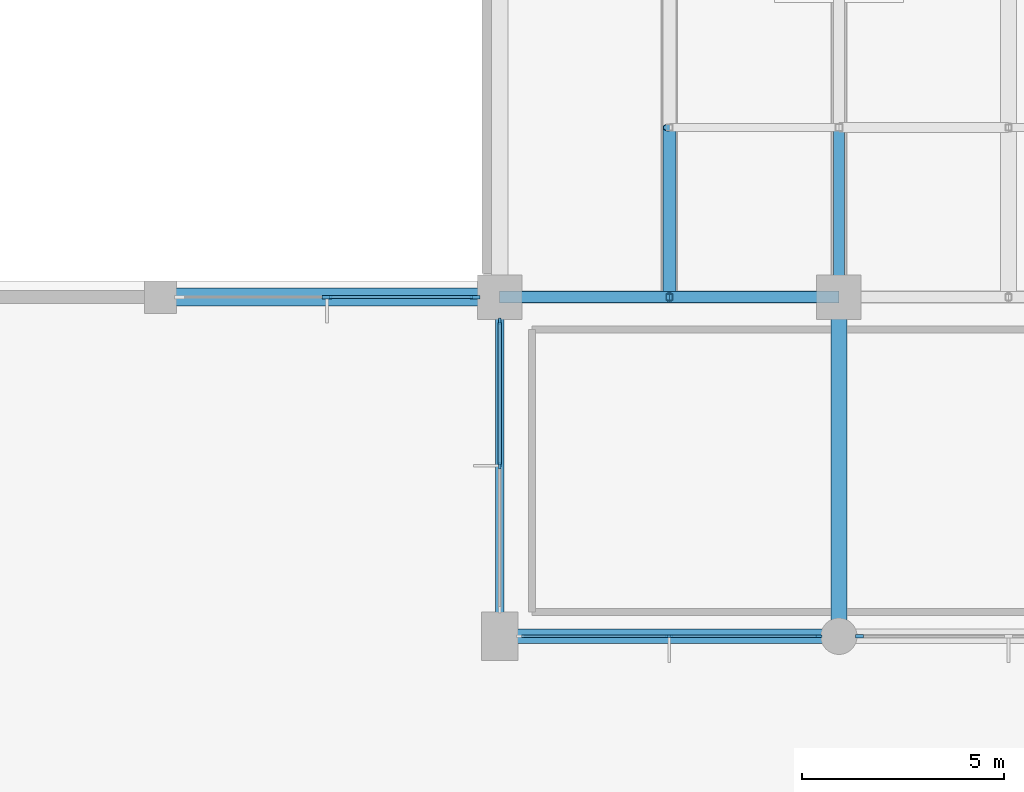
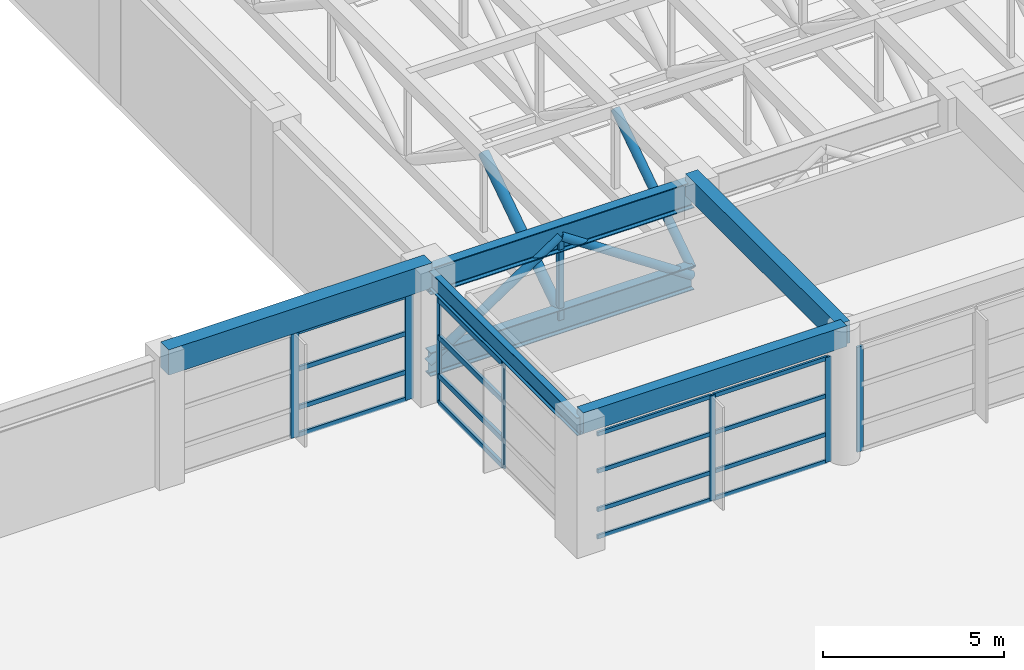
# One storey, part 9 of 47: 28 members, 6 beams, 4 elements without a shape of their own.
"""IFC4 building model written with IfcOpenShell, lengths in metres."""

from ifc_helpers import new_model, si_unit, direction, frame, origin, origin_2d, place, context, subcontext, project, spatial, rectangle, hollow_rectangle, hollow_circle, i_section, extrude, material, material_profile, profile_set, type_object, element, aggregate, save


model = new_model("IFC4")

# Units and contexts
model_context = context("Model", 3, precision=1e-05, world=origin(), true_north=direction((0.0, 1.0)))
body_context = subcontext(model_context, "Body", "Model", "MODEL_VIEW")
ifc_project = project(units=[si_unit("LENGTHUNIT", "METRE"), si_unit("AREAUNIT", "SQUARE_METRE"), si_unit("VOLUMEUNIT", "CUBIC_METRE"), si_unit("PLANEANGLEUNIT", "RADIAN"), si_unit("MASSUNIT", "GRAM", prefix="KILO")], contexts=[model_context])

# Site, building, storey
site_placement = place(None, origin())
site = spatial("IfcSite", under=ifc_project, at=site_placement, CompositionType="ELEMENT")
building_placement = place(site_placement, origin())
building = spatial("IfcBuilding", under=site, at=building_placement, Name="Xuanlan Plaza Opera House", CompositionType="ELEMENT")
storey_placement = place(building_placement, frame((0.0, 0.0, 23.39990234375)))
storey = spatial("IfcBuildingStorey", under=building, at=storey_placement, Name="L05", CompositionType="ELEMENT", Elevation=23.39990234375)

# Curtain wall, members
ifc_material_1 = material(Name="Anodised Aluminium 6063-T6 and Low-E Glass", Category="aluminium")
curtain_wall_type_1 = type_object("IfcCurtainWallType", Name="ENV-CW-CW-05", PredefinedType="USERDEFINED", material=ifc_material_1)
curtain_wall_1_placement = place(storey_placement, origin())
curtain_wall_1 = element("IfcCurtainWall", 1, at=curtain_wall_1_placement, inside=storey, type_object=curtain_wall_type_1, Name="Acoustic Glazed Wall L05-004", ObjectType="ACOUSTIC GLAZED WALL", PredefinedType="USERDEFINED")
ifc_material_2 = material(Name="Anodised Aluminium 6063-T6", Category="aluminium")
ifc_material_profile_1 = material_profile(ifc_material_2, rectangle(XDim=0.06494140625, YDim=0.159912109375, at=origin_2d()), Name="ALU-M 65x160")
ifc_profile_set_1 = profile_set([ifc_material_profile_1], Name="Anodised Aluminium 6063-T6")
member_type_1 = type_object("IfcMemberType", Name="ENV-CWM-01", PredefinedType="MULLION", material=ifc_profile_set_1)
member_1_placement = place(storey_placement, frame((67.199951171875, 41.3974609375, 0.0), z_axis=(0.0, 0.0, 1.0), x_axis=(1.0, 0.0, 0.0)))
member_1 = element("IfcMember", 2, at=member_1_placement, type_object=member_type_1, Name="CW-05 mullion 1", PredefinedType="MULLION", context=body_context, shape_type="SweptSolid", body=[
    extrude(rectangle(XDim=0.06494140625, YDim=0.159912109375, at=origin_2d()), origin(), (0.0, 0.0, 1.0), 3.5400390625),
])
member_2_placement = place(storey_placement, frame((67.199951171875, 37.824951171875, 0.0), z_axis=(0.0, 0.0, 1.0), x_axis=(1.0, 0.0, 0.0)))
member_2 = element("IfcMember", 3, at=member_2_placement, type_object=member_type_1, Name="CW-05 mullion 2", PredefinedType="MULLION", context=body_context, shape_type="SweptSolid", body=[
    extrude(rectangle(XDim=0.06494140625, YDim=0.159912109375, at=origin_2d()), origin(), (0.0, 0.0, 1.0), 3.5400390625),
])

curtain_wall_type_2 = type_object("IfcCurtainWallType", Name="ENV-CW-CW-06", PredefinedType="USERDEFINED", material=ifc_material_1)
curtain_wall_2_placement = place(storey_placement, origin())
curtain_wall_2 = element("IfcCurtainWall", 4, at=curtain_wall_2_placement, inside=storey, type_object=curtain_wall_type_2, Name="Acoustic Glazed Wall L05-005", ObjectType="ACOUSTIC GLAZED WALL", PredefinedType="USERDEFINED")
ifc_material_profile_2 = material_profile(ifc_material_2, rectangle(XDim=0.070068359375, YDim=0.179931640625, at=origin_2d()), Name="ALU-M 70x180")
ifc_profile_set_2 = profile_set([ifc_material_profile_2], Name="Anodised Aluminium 6063-T6")
member_type_2 = type_object("IfcMemberType", Name="ENV-CWM-02", PredefinedType="MULLION", material=ifc_profile_set_2)
member_3_placement = place(storey_placement, frame((71.39990234375, 33.60009765625, 0.0), z_axis=(0.0, 0.0, 1.0), x_axis=(0.0, 1.0, 0.0)))
member_3 = element("IfcMember", 5, at=member_3_placement, type_object=member_type_2, Name="CW-06 mullion 2", PredefinedType="MULLION", context=body_context, shape_type="SweptSolid", body=[
    extrude(rectangle(XDim=0.070068359375, YDim=0.179931640625, at=origin_2d()), origin(), (0.0, 0.0, 1.0), 3.5400390625),
])
member_4_placement = place(storey_placement, frame((75.094970703125, 33.60009765625, 0.0), z_axis=(0.0, 0.0, 1.0), x_axis=(0.0, 1.0, 0.0)))
member_4 = element("IfcMember", 6, at=member_4_placement, type_object=member_type_2, Name="CW-06 mullion 3", PredefinedType="MULLION", context=body_context, shape_type="SweptSolid", body=[
    extrude(rectangle(XDim=0.070068359375, YDim=0.179931640625, at=origin_2d()), origin(), (0.0, 0.0, 1.0), 3.5400390625),
])

# Curtain wall, member
curtain_wall_3_placement = place(storey_placement, origin())
curtain_wall_3 = element("IfcCurtainWall", 7, at=curtain_wall_3_placement, inside=storey, type_object=curtain_wall_type_1, Name="Acoustic Glazed Wall L05-006", ObjectType="ACOUSTIC GLAZED WALL", PredefinedType="USERDEFINED")
ifc_material_profile_3 = material_profile(ifc_material_2, rectangle(XDim=0.074951171875, YDim=0.199951171875, at=origin_2d()), Name="ALU-M 75x200")
ifc_profile_set_3 = profile_set([ifc_material_profile_3], Name="Anodised Aluminium 6063-T6")
member_type_3 = type_object("IfcMemberType", Name="ENV-CWM-03", PredefinedType="MULLION", material=ifc_profile_set_3)
member_5_placement = place(storey_placement, frame((76.107421875, 33.60009765625, 0.0), z_axis=(0.0, 0.0, 1.0), x_axis=(0.0, 1.0, 0.0)))
member_5 = element("IfcMember", 8, at=member_5_placement, type_object=member_type_3, Name="CW-05 mullion 1", PredefinedType="MULLION", context=body_context, shape_type="SweptSolid", body=[
    extrude(rectangle(XDim=0.074951171875, YDim=0.199951171875, at=origin_2d()), origin(), (0.0, 0.0, 1.0), 3.5400390625),
])
aggregate(curtain_wall_3, [member_5])

# Curtain wall, members
curtain_wall_4_placement = place(storey_placement, origin())
curtain_wall_4 = element("IfcCurtainWall", 9, at=curtain_wall_4_placement, inside=storey, type_object=curtain_wall_type_2, Name="Acoustic Glazed Wall L05-003", ObjectType="ACOUSTIC GLAZED WALL", PredefinedType="USERDEFINED")
ifc_material_profile_4 = material_profile(ifc_material_2, rectangle(XDim=0.090087890625, YDim=0.25, at=origin_2d()), Name="ALU-M 90x250")
ifc_profile_set_4 = profile_set([ifc_material_profile_4], Name="Anodised Aluminium 6063-T6")
member_type_4 = type_object("IfcMemberType", Name="ENV-CWM-05", PredefinedType="MULLION", material=ifc_profile_set_4)
member_6_placement = place(storey_placement, frame((62.925048828125, 42.0, 0.0), z_axis=(0.0, 0.0, 1.0), x_axis=(0.0, 1.0, 0.0)))
member_6 = element("IfcMember", 10, at=member_6_placement, type_object=member_type_4, Name="CW-06 mullion 2", PredefinedType="MULLION", context=body_context, shape_type="SweptSolid", body=[
    extrude(rectangle(XDim=0.090087890625, YDim=0.25, at=origin_2d()), origin(), (0.0, 0.0, 1.0), 3.5400390625),
])
member_7_placement = place(storey_placement, frame((66.5849609375, 42.0, 0.0), z_axis=(0.0, 0.0, 1.0), x_axis=(0.0, 1.0, 0.0)))
member_7 = element("IfcMember", 11, at=member_7_placement, type_object=member_type_4, Name="CW-06 mullion 3", PredefinedType="MULLION", context=body_context, shape_type="SweptSolid", body=[
    extrude(rectangle(XDim=0.090087890625, YDim=0.25, at=origin_2d()), origin(), (0.0, 0.0, 1.0), 3.5400390625),
])

# Member
ifc_material_profile_5 = material_profile(ifc_material_2, rectangle(XDim=0.070068359375, YDim=0.135009765625, at=origin_2d()), Name="ALU-T 70x135")
ifc_profile_set_5 = profile_set([ifc_material_profile_5], Name="Anodised Aluminium 6063-T6")
member_type_5 = type_object("IfcMemberType", Name="ENV-CWT-02", PredefinedType="USERDEFINED", material=ifc_profile_set_5)
member_8_placement = place(storey_placement, frame((67.739990234375, 33.60009765625, 0.03515625), z_axis=(1.0, 0.0, 0.0), x_axis=(0.0, 1.0, 0.0)))
member_8 = element("IfcMember", 12, at=member_8_placement, type_object=member_type_5, Name="CW-06 transom 1.1", ObjectType="TRANSOM", PredefinedType="USERDEFINED", context=body_context, shape_type="SweptSolid", body=[
    extrude(rectangle(XDim=0.070068359375, YDim=0.135009765625, at=origin_2d()), origin(), (0.0, 0.0, 1.0), 3.625),
])

member_9_placement = place(storey_placement, frame((67.739990234375, 33.60009765625, 0.9501953125), z_axis=(1.0, 0.0, 0.0), x_axis=(0.0, 1.0, 0.0)))
member_9 = element("IfcMember", 13, at=member_9_placement, type_object=member_type_5, Name="CW-06 transom 1.2", ObjectType="TRANSOM", PredefinedType="USERDEFINED", context=body_context, shape_type="SweptSolid", body=[
    extrude(rectangle(XDim=0.070068359375, YDim=0.135009765625, at=origin_2d()), origin(), (0.0, 0.0, 1.0), 3.625),
])

member_10_placement = place(storey_placement, frame((67.739990234375, 33.60009765625, 2.25), z_axis=(1.0, 0.0, 0.0), x_axis=(0.0, 1.0, 0.0)))
member_10 = element("IfcMember", 14, at=member_10_placement, type_object=member_type_5, Name="CW-06 transom 1.3", ObjectType="TRANSOM", PredefinedType="USERDEFINED", context=body_context, shape_type="SweptSolid", body=[
    extrude(rectangle(XDim=0.070068359375, YDim=0.135009765625, at=origin_2d()), origin(), (0.0, 0.0, 1.0), 3.625),
])

member_11_placement = place(storey_placement, frame((67.739990234375, 33.60009765625, 3.505126953125), z_axis=(1.0, 0.0, 0.0), x_axis=(0.0, 1.0, 0.0)))
member_11 = element("IfcMember", 15, at=member_11_placement, type_object=member_type_5, Name="CW-06 transom 1.4", ObjectType="TRANSOM", PredefinedType="USERDEFINED", context=body_context, shape_type="SweptSolid", body=[
    extrude(rectangle(XDim=0.070068359375, YDim=0.135009765625, at=origin_2d()), origin(), (0.0, 0.0, 1.0), 3.625),
])

member_12_placement = place(storey_placement, frame((71.43505859375, 33.60009765625, 0.03515625), z_axis=(1.0, 0.0, 0.0), x_axis=(0.0, 1.0, 0.0)))
member_12 = element("IfcMember", 16, at=member_12_placement, type_object=member_type_5, Name="CW-06 transom 2.1", ObjectType="TRANSOM", PredefinedType="USERDEFINED", context=body_context, shape_type="SweptSolid", body=[
    extrude(rectangle(XDim=0.070068359375, YDim=0.135009765625, at=origin_2d()), origin(), (0.0, 0.0, 1.0), 3.625),
])

member_13_placement = place(storey_placement, frame((71.43505859375, 33.60009765625, 0.9501953125), z_axis=(1.0, 0.0, 0.0), x_axis=(0.0, 1.0, 0.0)))
member_13 = element("IfcMember", 17, at=member_13_placement, type_object=member_type_5, Name="CW-06 transom 2.2", ObjectType="TRANSOM", PredefinedType="USERDEFINED", context=body_context, shape_type="SweptSolid", body=[
    extrude(rectangle(XDim=0.070068359375, YDim=0.135009765625, at=origin_2d()), origin(), (0.0, 0.0, 1.0), 3.625),
])

member_14_placement = place(storey_placement, frame((71.43505859375, 33.60009765625, 2.25), z_axis=(1.0, 0.0, 0.0), x_axis=(0.0, 1.0, 0.0)))
member_14 = element("IfcMember", 18, at=member_14_placement, type_object=member_type_5, Name="CW-06 transom 2.3", ObjectType="TRANSOM", PredefinedType="USERDEFINED", context=body_context, shape_type="SweptSolid", body=[
    extrude(rectangle(XDim=0.070068359375, YDim=0.135009765625, at=origin_2d()), origin(), (0.0, 0.0, 1.0), 3.625),
])

member_15_placement = place(storey_placement, frame((71.43505859375, 33.60009765625, 3.505126953125), z_axis=(1.0, 0.0, 0.0), x_axis=(0.0, 1.0, 0.0)))
member_15 = element("IfcMember", 19, at=member_15_placement, type_object=member_type_5, Name="CW-06 transom 2.4", ObjectType="TRANSOM", PredefinedType="USERDEFINED", context=body_context, shape_type="SweptSolid", body=[
    extrude(rectangle(XDim=0.070068359375, YDim=0.135009765625, at=origin_2d()), origin(), (0.0, 0.0, 1.0), 3.625),
])

aggregate(curtain_wall_2, [member_3, member_4, member_8, member_9, member_10, member_11, member_12, member_13, member_14, member_15])

ifc_material_profile_6 = material_profile(ifc_material_2, rectangle(XDim=0.074951171875, YDim=0.14990234375, at=origin_2d()), Name="ALU-T 75x150")
ifc_profile_set_6 = profile_set([ifc_material_profile_6], Name="Anodised Aluminium 6063-T6")
member_type_6 = type_object("IfcMemberType", Name="ENV-CWT-03", PredefinedType="USERDEFINED", material=ifc_profile_set_6)
member_16_placement = place(storey_placement, frame((62.969970703125, 42.0, 0.03759765625), z_axis=(1.0, 0.0, 0.0), x_axis=(0.0, 1.0, 0.0)))
member_16 = element("IfcMember", 20, at=member_16_placement, type_object=member_type_6, Name="CW-06 transom 2.1", ObjectType="TRANSOM", PredefinedType="USERDEFINED", context=body_context, shape_type="SweptSolid", body=[
    extrude(rectangle(XDim=0.074951171875, YDim=0.14990234375, at=origin_2d()), origin(), (0.0, 0.0, 1.0), 3.570068359375),
])

member_17_placement = place(storey_placement, frame((62.969970703125, 42.0, 0.9501953125), z_axis=(1.0, 0.0, 0.0), x_axis=(0.0, 1.0, 0.0)))
member_17 = element("IfcMember", 21, at=member_17_placement, type_object=member_type_6, Name="CW-06 transom 2.2", ObjectType="TRANSOM", PredefinedType="USERDEFINED", context=body_context, shape_type="SweptSolid", body=[
    extrude(rectangle(XDim=0.074951171875, YDim=0.14990234375, at=origin_2d()), origin(), (0.0, 0.0, 1.0), 3.570068359375),
])

member_18_placement = place(storey_placement, frame((62.969970703125, 42.0, 2.25), z_axis=(1.0, 0.0, 0.0), x_axis=(0.0, 1.0, 0.0)))
member_18 = element("IfcMember", 22, at=member_18_placement, type_object=member_type_6, Name="CW-06 transom 2.3", ObjectType="TRANSOM", PredefinedType="USERDEFINED", context=body_context, shape_type="SweptSolid", body=[
    extrude(rectangle(XDim=0.074951171875, YDim=0.14990234375, at=origin_2d()), origin(), (0.0, 0.0, 1.0), 3.570068359375),
])

member_19_placement = place(storey_placement, frame((62.969970703125, 42.0, 3.502685546875), z_axis=(1.0, 0.0, 0.0), x_axis=(0.0, 1.0, 0.0)))
member_19 = element("IfcMember", 23, at=member_19_placement, type_object=member_type_6, Name="CW-06 transom 2.4", ObjectType="TRANSOM", PredefinedType="USERDEFINED", context=body_context, shape_type="SweptSolid", body=[
    extrude(rectangle(XDim=0.074951171875, YDim=0.14990234375, at=origin_2d()), origin(), (0.0, 0.0, 1.0), 3.570068359375),
])

aggregate(curtain_wall_4, [member_6, member_7, member_16, member_17, member_18, member_19])

ifc_material_profile_7 = material_profile(ifc_material_2, rectangle(XDim=0.090087890625, YDim=0.179931640625, at=origin_2d()), Name="ALU-T 90x180")
ifc_profile_set_7 = profile_set([ifc_material_profile_7], Name="Anodised Aluminium 6063-T6")
member_type_7 = type_object("IfcMemberType", Name="ENV-CWT-05", PredefinedType="USERDEFINED", material=ifc_profile_set_7)
member_20_placement = place(storey_placement, frame((67.199951171875, 41.364990234375, 0.045166015625), z_axis=(0.0, -1.0, 0.0), x_axis=(1.0, 0.0, 0.0)))
member_20 = element("IfcMember", 24, at=member_20_placement, type_object=member_type_7, Name="CW-05 transom 1.1", ObjectType="TRANSOM", PredefinedType="USERDEFINED", context=body_context, shape_type="SweptSolid", body=[
    extrude(rectangle(XDim=0.090087890625, YDim=0.179931640625, at=origin_2d()), origin(), (0.0, 0.0, 1.0), 3.507568359375),
])

member_21_placement = place(storey_placement, frame((67.199951171875, 41.364990234375, 0.9501953125), z_axis=(0.0, -1.0, 0.0), x_axis=(1.0, 0.0, 0.0)))
member_21 = element("IfcMember", 25, at=member_21_placement, type_object=member_type_7, Name="CW-05 transom 1.2", ObjectType="TRANSOM", PredefinedType="USERDEFINED", context=body_context, shape_type="SweptSolid", body=[
    extrude(rectangle(XDim=0.090087890625, YDim=0.179931640625, at=origin_2d()), origin(), (0.0, 0.0, 1.0), 3.507568359375),
])

member_22_placement = place(storey_placement, frame((67.199951171875, 41.364990234375, 2.25), z_axis=(0.0, -1.0, 0.0), x_axis=(1.0, 0.0, 0.0)))
member_22 = element("IfcMember", 26, at=member_22_placement, type_object=member_type_7, Name="CW-05 transom 1.3", ObjectType="TRANSOM", PredefinedType="USERDEFINED", context=body_context, shape_type="SweptSolid", body=[
    extrude(rectangle(XDim=0.090087890625, YDim=0.179931640625, at=origin_2d()), origin(), (0.0, 0.0, 1.0), 3.507568359375),
])

member_23_placement = place(storey_placement, frame((67.199951171875, 41.364990234375, 3.4951171875), z_axis=(0.0, -1.0, 0.0), x_axis=(1.0, 0.0, 0.0)))
member_23 = element("IfcMember", 27, at=member_23_placement, type_object=member_type_7, Name="CW-05 transom 1.4", ObjectType="TRANSOM", PredefinedType="USERDEFINED", context=body_context, shape_type="SweptSolid", body=[
    extrude(rectangle(XDim=0.090087890625, YDim=0.179931640625, at=origin_2d()), origin(), (0.0, 0.0, 1.0), 3.507568359375),
])

aggregate(curtain_wall_1, [member_1, member_2, member_20, member_21, member_22, member_23])

# Beams
ifc_material_3 = material(Name="Concrete C40", Category="concrete")
ifc_material_profile_8 = material_profile(ifc_material_3, rectangle(XDim=0.449951171875, YDim=0.85009765625, at=origin_2d()), Name="RC-BM 450x850")
ifc_profile_set_8 = profile_set([ifc_material_profile_8], Name="Concrete C40")
beam_type_1 = type_object("IfcBeamType", Name="STR-BM-B-04", PredefinedType="BEAM", material=ifc_profile_set_8)
beam_1_placement = place(storey_placement, frame((58.800048828125, 42.0, 4.0751953125), z_axis=(1.0, 0.0, 0.0), x_axis=(0.0, 1.0, 0.0)))
element("IfcBeam", 28, at=beam_1_placement, inside=storey, type_object=beam_type_1, Name="Grid Beam X L05 8-9/F", PredefinedType="BEAM", context=body_context, shape_type="SweptSolid", body=[
    extrude(rectangle(XDim=0.449951171875, YDim=0.85009765625, at=origin_2d()), origin(), (0.0, 0.0, 1.0), 8.39990234375),
])
ifc_material_profile_9 = material_profile(ifc_material_3, rectangle(XDim=0.39990234375, YDim=0.75, at=origin_2d()), Name="RC-BM 400x750")
ifc_profile_set_9 = profile_set([ifc_material_profile_9], Name="Concrete C40")
beam_type_2 = type_object("IfcBeamType", Name="STR-BM-B-06", PredefinedType="BEAM", material=ifc_profile_set_9)
beam_2_placement = place(storey_placement, frame((75.60009765625, 33.60009765625, 4.125), z_axis=(0.0, 1.0, 0.0), x_axis=(-1.0, 0.0, 0.0)))
element("IfcBeam", 29, at=beam_2_placement, inside=storey, type_object=beam_type_2, Name="Grid Beam Y L05 10/E-F", PredefinedType="BEAM", context=body_context, shape_type="SweptSolid", body=[
    extrude(rectangle(XDim=0.39990234375, YDim=0.75, at=origin_2d()), origin(), (0.0, 0.0, 1.0), 8.39990234375),
])
ifc_material_4 = material(Name="Steel Q390B", Category="steel")
ifc_material_profile_10 = material_profile(ifc_material_4, i_section(OverallWidth=0.300048828125, OverallDepth=0.89990234375, WebThickness=0.01611328125, FlangeThickness=0.028076171875, FilletRadius=0.028076171875, at=origin_2d()), Name="HN 900x300x16x28")
ifc_profile_set_10 = profile_set([ifc_material_profile_10], Name="Steel Q390B")
beam_type_3 = type_object("IfcBeamType", Name="STR-BM-SB-01", PredefinedType="BEAM", material=ifc_profile_set_10)
beam_3_placement = place(storey_placement, frame((67.199951171875, 42.0, 3.80908203125), z_axis=(1.0, 0.0, 0.0), x_axis=(0.0, 1.0, 0.0)))
element("IfcBeam", 30, at=beam_3_placement, inside=storey, type_object=beam_type_3, Name="Auditorium Collector Truss S Top Chord Bay 1", PredefinedType="BEAM", context=body_context, shape_type="SweptSolid", body=[
    extrude(i_section(OverallWidth=0.300048828125, OverallDepth=0.89990234375, WebThickness=0.01611328125, FlangeThickness=0.028076171875, FilletRadius=0.028076171875, at=origin_2d()), origin(), (0.0, 0.0, 1.0), 8.400146484375),
])
ifc_material_profile_11 = material_profile(ifc_material_4, i_section(OverallWidth=0.300048828125, OverallDepth=0.800048828125, WebThickness=0.013916015625, FlangeThickness=0.02587890625, FilletRadius=0.02587890625, at=origin_2d()), Name="HN 800x300x14x26")
ifc_profile_set_11 = profile_set([ifc_material_profile_11], Name="Steel Q390B")
beam_type_4 = type_object("IfcBeamType", Name="STR-BM-SB-02", PredefinedType="BEAM", material=ifc_profile_set_11)
beam_4_placement = place(storey_placement, frame((67.199951171875, 42.0, 1.009033203125), z_axis=(1.0, 0.0, 0.0), x_axis=(0.0, 1.0, 0.0)))
element("IfcBeam", 31, at=beam_4_placement, inside=storey, type_object=beam_type_4, Name="Auditorium Collector Truss S Bottom Chord Bay 1", PredefinedType="BEAM", context=body_context, shape_type="SweptSolid", body=[
    extrude(i_section(OverallWidth=0.300048828125, OverallDepth=0.800048828125, WebThickness=0.013916015625, FlangeThickness=0.02587890625, FilletRadius=0.02587890625, at=origin_2d()), origin(), (0.0, 0.0, 1.0), 8.400146484375),
])
ifc_material_5 = material(Name="Steel Q355B", Category="steel")
ifc_material_profile_12 = material_profile(ifc_material_5, i_section(OverallWidth=0.199951171875, OverallDepth=0.60009765625, WebThickness=0.010986328125, FlangeThickness=0.01708984375, FilletRadius=0.02197265625, at=origin_2d()), Name="HN 600x200x11x17")
ifc_profile_set_12 = profile_set([ifc_material_profile_12], Name="Steel Q355B")
beam_type_5 = type_object("IfcBeamType", Name="STR-BM-SB-04", PredefinedType="BEAM", material=ifc_profile_set_12)
beam_5_placement = place(storey_placement, frame((67.199951171875, 33.60009765625, 3.955078125), z_axis=(0.0, 1.0, 0.0), x_axis=(-1.0, 0.0, 0.0)))
element("IfcBeam", 32, at=beam_5_placement, inside=storey, type_object=beam_type_5, Name="Grid Beam Y L05 9/E-F", PredefinedType="BEAM", context=body_context, shape_type="SweptSolid", body=[
    extrude(i_section(OverallWidth=0.199951171875, OverallDepth=0.60009765625, WebThickness=0.010986328125, FlangeThickness=0.01708984375, FilletRadius=0.02197265625, at=origin_2d()), origin(), (0.0, 0.0, 1.0), 8.39990234375),
])
ifc_material_profile_13 = material_profile(ifc_material_3, rectangle(XDim=0.35009765625, YDim=0.699951171875, at=origin_2d()), Name="RC-SPD 350x700")
ifc_profile_set_13 = profile_set([ifc_material_profile_13], Name="Concrete C40")
beam_type_6 = type_object("IfcBeamType", Name="STR-BM-SP-02", PredefinedType="SPANDREL", material=ifc_profile_set_13)
beam_6_placement = place(storey_placement, frame((67.199951171875, 33.60009765625, 4.150146484375), z_axis=(1.0, 0.0, 0.0), x_axis=(0.0, 1.0, 0.0)))
element("IfcBeam", 33, at=beam_6_placement, inside=storey, type_object=beam_type_6, Name="Grid Beam X L05 9-10/E", PredefinedType="SPANDREL", context=body_context, shape_type="SweptSolid", body=[
    extrude(rectangle(XDim=0.35009765625, YDim=0.699951171875, at=origin_2d()), origin(), (0.0, 0.0, 1.0), 8.400146484375),
])

# Members
ifc_material_profile_14 = material_profile(ifc_material_5, hollow_circle(Radius=0.161865234375, WallThickness=0.013916015625, at=origin_2d()), Name="CHS 323.9x14")
ifc_profile_set_14 = profile_set([ifc_material_profile_14], Name="Steel Q355B")
member_type_8 = type_object("IfcMemberType", Name="STR-MEM-BR-03", PredefinedType="BRACE", material=ifc_profile_set_14)
member_24_placement = place(storey_placement, frame((71.39990234375, 42.0, 1.259033203125), z_axis=(0.0, 0.832042853317, 0.554711357594), x_axis=(-1.0, 0.0, 0.0)))
element("IfcMember", 34, at=member_24_placement, inside=storey, type_object=member_type_8, Name="Auditorium Roof Truss AUD-01 Web Diagonal 1", PredefinedType="BRACE", context=body_context, shape_type="SweptSolid", body=[
    extrude(hollow_circle(Radius=0.161865234375, WallThickness=0.013916015625, at=origin_2d()), origin(), (0.0, 0.0, 1.0), 5.0478515625),
])
ifc_material_profile_15 = material_profile(ifc_material_5, hollow_circle(Radius=0.136474609375, WallThickness=0.011962890625, at=origin_2d()), Name="CHS 273x12")
ifc_profile_set_15 = profile_set([ifc_material_profile_15], Name="Steel Q355B")
member_type_9 = type_object("IfcMemberType", Name="STR-MEM-BR-04", PredefinedType="BRACE", material=ifc_profile_set_15)
for number, where, z_axis, x_axis, name in (
    (35, (67.199951171875, 42.0, 1.009033203125), (0.832042853317, 0.0, 0.554711357594), (0.0, 1.0, 0.0), "Auditorium Collector Truss S Web Diagonal 1"),
    (36, (71.39990234375, 42.0, 3.80908203125), (0.832057734909, 0.0, -0.554689035206), (0.0, 1.0, 0.0), "Auditorium Collector Truss S Web Diagonal 2"),
    (37, (75.60009765625, 42.0, 1.259033203125), (0.0, 0.832042853317, 0.554711357594), (-1.0, 0.0, 0.0), "Auditorium Roof Truss AUD-02 Web Diagonal 1"),
):
    element("IfcMember", number, at=place(storey_placement, frame(where, z_axis=z_axis, x_axis=x_axis)), inside=storey, type_object=member_type_9, Name=name, PredefinedType="BRACE", context=body_context, shape_type="SweptSolid", body=[
        extrude(hollow_circle(Radius=0.136474609375, WallThickness=0.011962890625, at=origin_2d()), origin(), (0.0, 0.0, 1.0), 5.0478515625),
    ])
ifc_material_profile_16 = material_profile(ifc_material_5, hollow_rectangle(XDim=0.159912109375, YDim=0.159912109375, WallThickness=0.008056640625, at=origin_2d()), Name="SHS 160x160x8")
ifc_profile_set_16 = profile_set([ifc_material_profile_16], Name="Steel Q355B")
member_type_10 = type_object("IfcMemberType", Name="STR-MEM-ST-M3", PredefinedType="STRUT", material=ifc_profile_set_16)
member_25_placement = place(storey_placement, frame((71.39990234375, 42.0, 1.009033203125), z_axis=(0.0, 0.0, 1.0), x_axis=(1.0, 0.0, 0.0)))
element("IfcMember", 38, at=member_25_placement, inside=storey, type_object=member_type_10, Name="Auditorium Collector Truss S Panel Vertical 1", PredefinedType="STRUT", context=body_context, shape_type="SweptSolid", body=[
    extrude(hollow_rectangle(XDim=0.159912109375, YDim=0.159912109375, WallThickness=0.008056640625, at=origin_2d()), origin(), (0.0, 0.0, 1.0), 2.800048828125),
])

save(model, "model.ifc")
